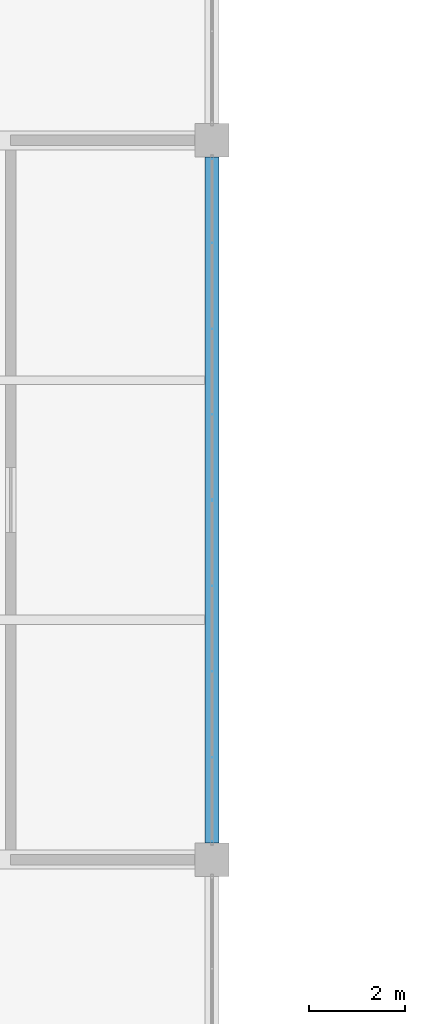
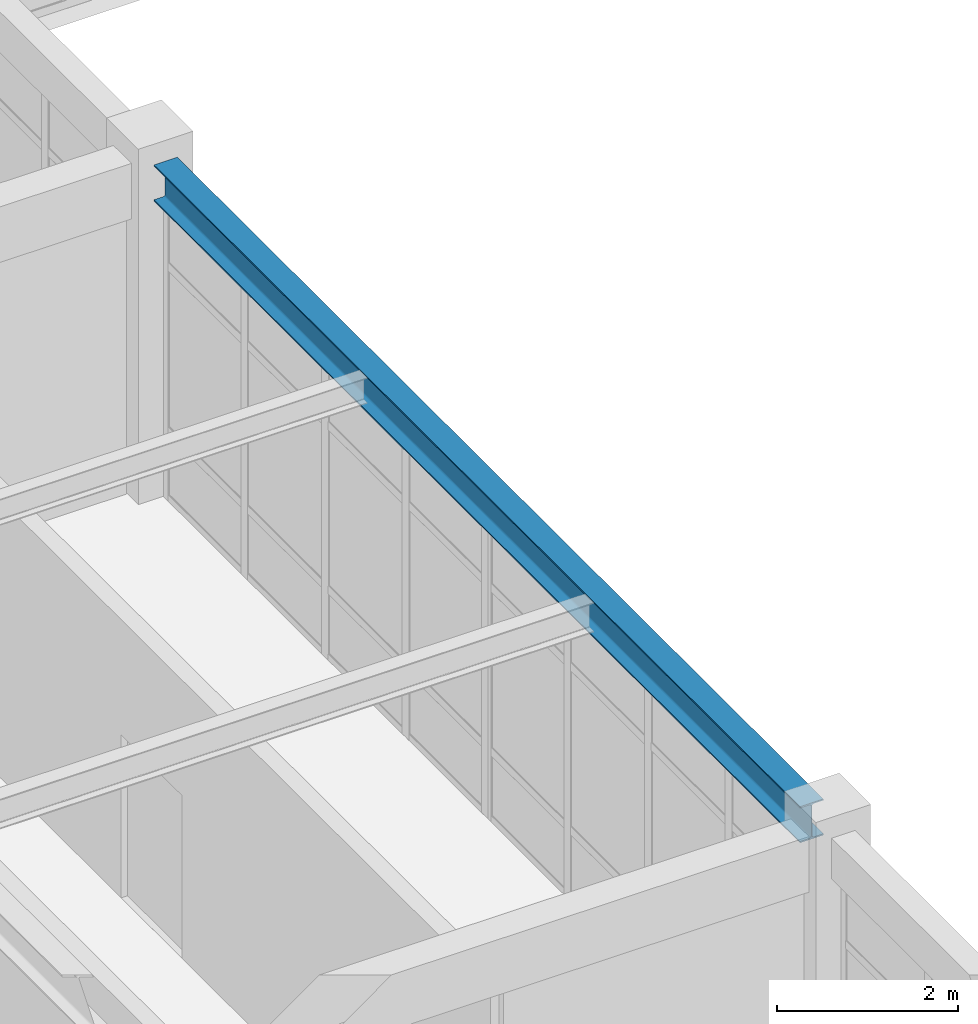
# One storey, part 30 of 76: 1 beam.
"""IFC4 building model written with IfcOpenShell, lengths in metres."""

from ifc_helpers import new_model, si_unit, derived_unit, direction, frame, origin, origin_2d, place, context, subcontext, project, spatial, i_section, extrude, material, material_profile, profile_set, type_object, element, save


model = new_model("IFC4")

# Units and contexts
model_context = context("Model", 3, precision=1e-05, world=origin(), true_north=direction((0.0, 1.0)))
body_context = subcontext(model_context, "Body", "Model", "MODEL_VIEW")
ifc_project = project(units=[si_unit("LENGTHUNIT", "METRE"), si_unit("AREAUNIT", "SQUARE_METRE"), si_unit("VOLUMEUNIT", "CUBIC_METRE"), si_unit("PLANEANGLEUNIT", "RADIAN"), si_unit("MASSUNIT", "GRAM", prefix="KILO"), derived_unit("THERMALTRANSMITTANCEUNIT", [(si_unit("MASSUNIT", "GRAM", prefix="KILO"), 1), (si_unit("TIMEUNIT", "SECOND"), -3), (si_unit("THERMODYNAMICTEMPERATUREUNIT", "KELVIN"), -1)])], contexts=[model_context])

# Site, building, storey
site_placement = place(None, origin())
site = spatial("IfcSite", under=ifc_project, at=site_placement, CompositionType="ELEMENT")
building_placement = place(site_placement, origin())
building = spatial("IfcBuilding", under=site, at=building_placement, Name="Qinzheling Arcade Emporium", CompositionType="ELEMENT")
storey_placement = place(building_placement, frame((0.0, 0.0, 26.699951171875)))
storey = spatial("IfcBuildingStorey", under=building, at=storey_placement, Name="L06", CompositionType="ELEMENT", Elevation=26.699951171875)

# Beam
ifc_material = material(Name="Structural steel Q355B", Category="steel")
ifc_material_profile = material_profile(ifc_material, i_section(OverallWidth=0.300048828125, OverallDepth=0.488037109375, WebThickness=0.010986328125, FlangeThickness=0.01806640625, FilletRadius=0.02197265625, at=origin_2d()), Name="HM 488x300x11x18", Category="steel")
ifc_profile_set = profile_set([ifc_material_profile], Name="Structural steel Q355B")
beam_type = type_object("IfcBeamType", Name="Atrium Bridge Girder HM488 Q355B", PredefinedType="USERDEFINED", material=ifc_profile_set)
beam_placement = place(storey_placement, frame((104.39990234375, 50.75, 4.276123046875), z_axis=(0.0, 1.0, 0.0), x_axis=(-1.0, 0.0, 0.0)))
element("IfcBeam", 1, at=beam_placement, inside=storey, type_object=beam_type, Name="Beam BM-L06-Y-13-G", ObjectType="TRANSFER_GIRDER", PredefinedType="USERDEFINED", context=body_context, shape_type="SweptSolid", body=[
    extrude(i_section(OverallWidth=0.300048828125, OverallDepth=0.488037109375, WebThickness=0.010986328125, FlangeThickness=0.01806640625, FilletRadius=0.02197265625, at=origin_2d()), origin(), (0.0, 0.0, 1.0), 14.300048828125),
])

save(model, "model.ifc")
